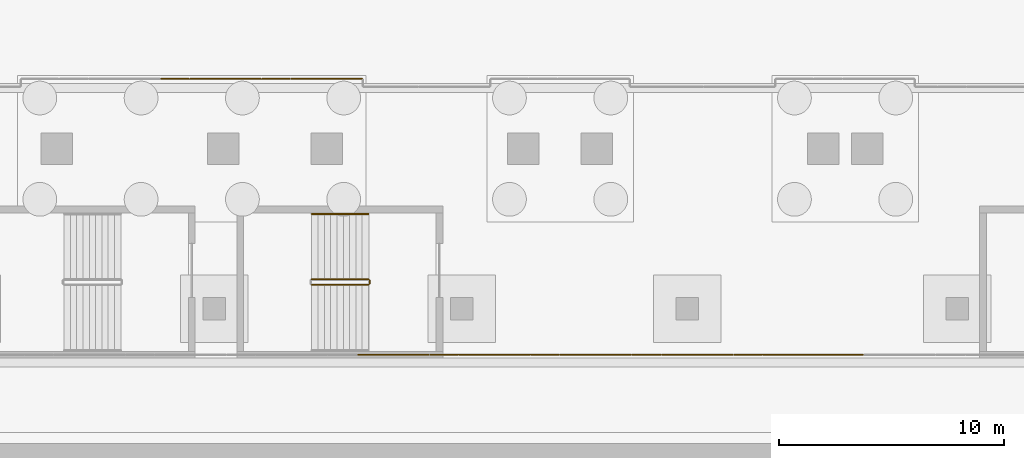
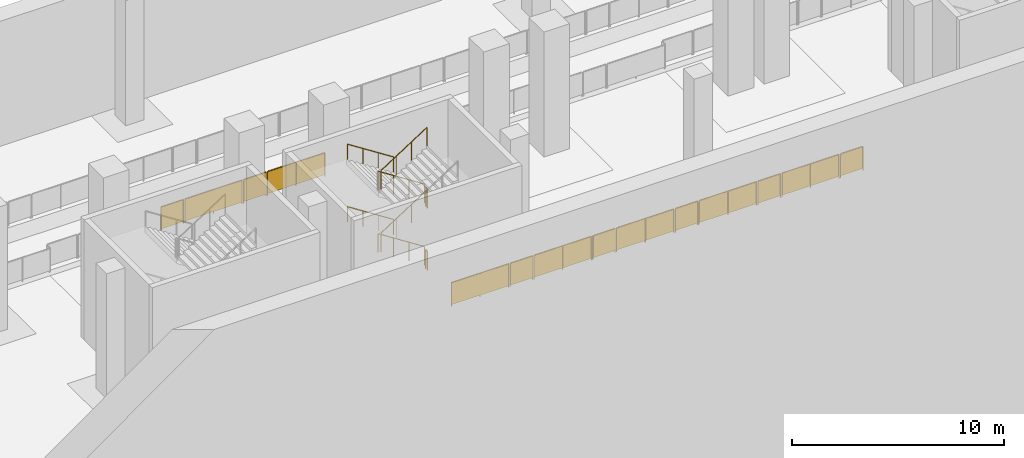
# One storey, part 10 of 15: 22 railings.
"""IFC4 building model written with IfcOpenShell, lengths in metres."""

from ifc_helpers import new_model, si_unit, direction, frame, origin, origin_2d, place, context, subcontext, project, spatial, rectangle, circle, extrude, material, type_object, element, save


model = new_model("IFC4")

# Units and contexts
model_context = context("Model", 3, precision=1e-05, world=origin(), true_north=direction((0.0, 1.0)))
body_context = subcontext(model_context, "Body", "Model", "MODEL_VIEW")
ifc_project = project(units=[si_unit("LENGTHUNIT", "METRE"), si_unit("AREAUNIT", "SQUARE_METRE"), si_unit("VOLUMEUNIT", "CUBIC_METRE"), si_unit("PLANEANGLEUNIT", "RADIAN"), si_unit("MASSUNIT", "GRAM", prefix="KILO")], contexts=[model_context])

# Site, building, storey
site_placement = place(None, origin())
site = spatial("IfcSite", under=ifc_project, at=site_placement, CompositionType="ELEMENT")
building_placement = place(site_placement, origin())
building = spatial("IfcBuilding", under=site, at=building_placement, Name="Wharfspan Tower", CompositionType="ELEMENT")
storey_placement = place(building_placement, frame((0.0, 0.0, -14.399902)))
storey = spatial("IfcBuildingStorey", under=building, at=storey_placement, Name="B2", CompositionType="ELEMENT", Elevation=-14.399902)

# Railings
ifc_material_1 = material(Name="Aluminium frame with laminated glass", Category="aluminium")
railing_type_1 = type_object("IfcRailingType", Name="Platform edge screen 1400", PredefinedType="GUARDRAIL", material=ifc_material_1)
for number, where, name in (
    (1, (25.389893, -31.050049, 0.0), "Platform edge screen"),
    (2, (29.889893, -31.050049, 0.0), "Platform edge screen"),
    (3, (34.389893, -31.050049, 0.0), "Platform edge screen"),
    (4, (38.889893, -31.050049, 0.0), "Platform edge screen"),
    (5, (43.389893, -31.050049, 0.0), "Platform edge screen"),
):
    element("IfcRailing", number, at=place(storey_placement, frame(where)), inside=storey, type_object=railing_type_1, Name=name, PredefinedType="GUARDRAIL", context=body_context, shape_type="SweptSolid", body=[
        extrude(circle(Radius=0.024902, at=origin_2d()), frame((0.0, 0.0, 1.375), z_axis=(1.0, 0.0, 0.0), x_axis=(0.0, 1.0, 0.0)), (0.0, 0.0, 1.0), 3.120117),
        extrude(circle(Radius=0.024902, at=origin_2d()), origin(), (0.0, 0.0, 1.0), 1.349854),
        extrude(circle(Radius=0.024902, at=origin_2d()), frame((1.560059, 0.0, 0.0)), (0.0, 0.0, 1.0), 1.349854),
        extrude(circle(Radius=0.024902, at=origin_2d()), frame((3.120117, 0.0, 0.0)), (0.0, 0.0, 1.0), 1.349854),
        extrude(rectangle(XDim=3.120117, YDim=0.02002, at=origin_2d()), frame((1.560059, 0.0, 0.100098), z_axis=(0.0, 0.0, 1.0), x_axis=(1.0, 0.0, 0.0)), (0.0, 0.0, 1.0), 1.249756),
    ])
for number, where, name in (
    (6, (25.560059, -18.800049, 0.0), "Platform edge screen"),
    (7, (21.060059, -18.800049, 0.0), "Platform edge screen"),
):
    element("IfcRailing", number, at=place(storey_placement, frame(where)), inside=storey, type_object=railing_type_1, Name=name, PredefinedType="GUARDRAIL", context=body_context, shape_type="SweptSolid", body=[
        extrude(circle(Radius=0.024902, at=origin_2d()), frame((0.0, 0.0, 1.375), z_axis=(-1.0, 0.0, 0.0), x_axis=(0.0, -1.0, 0.0)), (0.0, 0.0, 1.0), 3.120117),
        extrude(circle(Radius=0.024902, at=origin_2d()), origin(), (0.0, 0.0, 1.0), 1.349854),
        extrude(circle(Radius=0.024902, at=origin_2d()), frame((-1.560059, 0.0, 0.0)), (0.0, 0.0, 1.0), 1.349854),
        extrude(circle(Radius=0.024902, at=origin_2d()), frame((-3.120117, 0.0, 0.0)), (0.0, 0.0, 1.0), 1.349854),
        extrude(rectangle(XDim=3.120117, YDim=0.02002, at=origin_2d()), frame((-1.560059, 0.0, 0.100098), z_axis=(0.0, 0.0, 1.0), x_axis=(-1.0, 0.0, 0.0)), (0.0, 0.0, 1.0), 1.249756),
    ])
railing_type_2 = type_object("IfcRailingType", Name="Platform screen door leaf 1400 (closed)", PredefinedType="GUARDRAIL", material=ifc_material_1)
for number, where, name in (
    (8, (28.590088, -31.050049, 0.0), "Platform screen door leaf (closed)"),
    (9, (33.090088, -31.050049, 0.0), "Platform screen door leaf (closed)"),
    (10, (37.590088, -31.050049, 0.0), "Platform screen door leaf (closed)"),
    (11, (42.090088, -31.050049, 0.0), "Platform screen door leaf (closed)"),
    (12, (46.590088, -31.050049, 0.0), "Platform screen door leaf (closed)"),
):
    element("IfcRailing", number, at=place(storey_placement, frame(where)), inside=storey, type_object=railing_type_2, Name=name, PredefinedType="GUARDRAIL", context=body_context, shape_type="SweptSolid", body=[
        extrude(circle(Radius=0.024902, at=origin_2d()), frame((0.0, 0.0, 1.375), z_axis=(1.0, 0.0, 0.0), x_axis=(0.0, 1.0, 0.0)), (0.0, 0.0, 1.0), 1.219971),
        extrude(circle(Radius=0.024902, at=origin_2d()), origin(), (0.0, 0.0, 1.0), 1.349854),
        extrude(circle(Radius=0.024902, at=origin_2d()), frame((1.219971, 0.0, 0.0)), (0.0, 0.0, 1.0), 1.349854),
        extrude(rectangle(XDim=1.219971, YDim=0.02002, at=origin_2d()), frame((0.609863, 0.0, 0.100098), z_axis=(0.0, 0.0, 1.0), x_axis=(1.0, 0.0, 0.0)), (0.0, 0.0, 1.0), 1.249756),
    ])
for number, where, name in (
    (13, (22.360107, -18.800049, 0.0), "Platform screen door leaf (closed)"),
    (14, (17.860107, -18.800049, 0.0), "Platform screen door leaf (closed)"),
):
    element("IfcRailing", number, at=place(storey_placement, frame(where)), inside=storey, type_object=railing_type_2, Name=name, PredefinedType="GUARDRAIL", context=body_context, shape_type="SweptSolid", body=[
        extrude(circle(Radius=0.024902, at=origin_2d()), frame((0.0, 0.0, 1.375), z_axis=(-1.0, 0.0, 0.0), x_axis=(0.0, -1.0, 0.0)), (0.0, 0.0, 1.0), 1.220215),
        extrude(circle(Radius=0.024902, at=origin_2d()), origin(), (0.0, 0.0, 1.0), 1.349854),
        extrude(circle(Radius=0.024902, at=origin_2d()), frame((-1.220215, 0.0, 0.0)), (0.0, 0.0, 1.0), 1.349854),
        extrude(rectangle(XDim=1.220215, YDim=0.02002, at=origin_2d()), frame((-0.610107, 0.0, 0.100098), z_axis=(0.0, 0.0, 1.0), x_axis=(-1.0, 0.0, 0.0)), (0.0, 0.0, 1.0), 1.249756),
    ])
ifc_material_2 = material(Name="Steel S355J2", Category="steel")
railing_type_3 = type_object("IfcRailingType", Name="Podium guard 1100", PredefinedType="GUARDRAIL", material=ifc_material_2)
railing_1_placement = place(storey_placement, frame((25.850098, -27.699951, 0.179932)))
element("IfcRailing", 15, at=railing_1_placement, inside=storey, type_object=railing_type_3, Name="B2 SB2 stair guard 1", PredefinedType="GUARDRAIL", context=body_context, shape_type="SweptSolid", body=[
    extrude(circle(Radius=0.023926, at=origin_2d()), frame((0.0, 0.0, 1.076172), z_axis=(-0.8412, 0.0, 0.540725), x_axis=(0.0, -1.0, 0.0)), (0.0, 0.0, 1.0), 2.99585),
    extrude(circle(Radius=0.020996, at=origin_2d()), origin(), (0.0, 0.0, 1.0), 1.052002),
    extrude(circle(Radius=0.020996, at=origin_2d()), frame((-0.840088, 0.0, 0.540039)), (0.0, 0.0, 1.0), 1.052002),
    extrude(circle(Radius=0.020996, at=origin_2d()), frame((-1.679932, 0.0, 1.079834)), (0.0, 0.0, 1.0), 1.052002),
    extrude(circle(Radius=0.020996, at=origin_2d()), frame((-2.52002, 0.0, 1.619873)), (0.0, 0.0, 1.0), 1.052002),
])
railing_2_placement = place(storey_placement, frame((23.330078, -27.949951, 1.97998)))
element("IfcRailing", 16, at=railing_2_placement, inside=storey, type_object=railing_type_3, Name="B2 SB2 stair guard 3", PredefinedType="GUARDRAIL", context=body_context, shape_type="SweptSolid", body=[
    extrude(circle(Radius=0.023926, at=origin_2d()), frame((0.0, 0.0, 1.076172), z_axis=(0.8412, 0.0, 0.540725), x_axis=(0.0, 1.0, 0.0)), (0.0, 0.0, 1.0), 2.99585),
    extrude(circle(Radius=0.020996, at=origin_2d()), origin(), (0.0, 0.0, 1.0), 1.052002),
    extrude(circle(Radius=0.020996, at=origin_2d()), frame((0.840088, 0.0, 0.540039)), (0.0, 0.0, 1.0), 1.052002),
    extrude(circle(Radius=0.020996, at=origin_2d()), frame((1.679932, 0.0, 1.079834)), (0.0, 0.0, 1.0), 1.052002),
    extrude(circle(Radius=0.020996, at=origin_2d()), frame((2.52002, 0.0, 1.619873)), (0.0, 0.0, 1.0), 1.052002),
])
railing_3_placement = place(storey_placement, frame((25.899902, -27.75, 3.599854)))
element("IfcRailing", 17, at=railing_3_placement, inside=storey, type_object=railing_type_3, Name="B2 SB2 stair guard 4", PredefinedType="GUARDRAIL", context=body_context, shape_type="SweptSolid", body=[
    extrude(circle(Radius=0.023926, at=origin_2d()), frame((0.0, 0.0, 1.076172), z_axis=(0.0, -1.0, 0.0), x_axis=(1.0, 0.0, 0.0)), (0.0, 0.0, 1.0), 0.149902),
    extrude(circle(Radius=0.020996, at=origin_2d()), origin(), (0.0, 0.0, 1.0), 1.052002),
    extrude(circle(Radius=0.020996, at=origin_2d()), frame((0.0, -0.149902, 0.0)), (0.0, 0.0, 1.0), 1.052002),
])
railing_4_placement = place(storey_placement, frame((25.850098, -27.699951, 3.779785)))
element("IfcRailing", 18, at=railing_4_placement, inside=storey, type_object=railing_type_3, Name="B2 SB2 stair guard 5", PredefinedType="GUARDRAIL", context=body_context, shape_type="SweptSolid", body=[
    extrude(circle(Radius=0.023926, at=origin_2d()), frame((0.0, 0.0, 1.076172), z_axis=(-0.841163, 0.0, 0.540782), x_axis=(0.0, -1.0, 0.0)), (0.0, 0.0, 1.0), 2.99585),
    extrude(circle(Radius=0.020996, at=origin_2d()), origin(), (0.0, 0.0, 1.0), 1.052002),
    extrude(circle(Radius=0.020996, at=origin_2d()), frame((-0.840088, 0.0, 0.540039)), (0.0, 0.0, 1.0), 1.052002),
    extrude(circle(Radius=0.020996, at=origin_2d()), frame((-1.679932, 0.0, 1.080078)), (0.0, 0.0, 1.0), 1.052002),
    extrude(circle(Radius=0.020996, at=origin_2d()), frame((-2.52002, 0.0, 1.620117)), (0.0, 0.0, 1.0), 1.052002),
])
railing_5_placement = place(storey_placement, frame((23.330078, -27.949951, 5.579834)))
element("IfcRailing", 19, at=railing_5_placement, inside=storey, type_object=railing_type_3, Name="B2 SB2 stair guard 7", PredefinedType="GUARDRAIL", context=body_context, shape_type="SweptSolid", body=[
    extrude(circle(Radius=0.023926, at=origin_2d()), frame((0.0, 0.0, 1.076172), z_axis=(0.841163, 0.0, 0.540782), x_axis=(0.0, 1.0, 0.0)), (0.0, 0.0, 1.0), 2.99585),
    extrude(circle(Radius=0.020996, at=origin_2d()), origin(), (0.0, 0.0, 1.0), 1.052002),
    extrude(circle(Radius=0.020996, at=origin_2d()), frame((0.840088, 0.0, 0.540039)), (0.0, 0.0, 1.0), 1.052002),
    extrude(circle(Radius=0.020996, at=origin_2d()), frame((1.679932, 0.0, 1.080078)), (0.0, 0.0, 1.0), 1.052002),
    extrude(circle(Radius=0.020996, at=origin_2d()), frame((2.52002, 0.0, 1.620117)), (0.0, 0.0, 1.0), 1.052002),
])
railing_6_placement = place(storey_placement, frame((25.899902, -27.75, 0.0)))
element("IfcRailing", 20, at=railing_6_placement, inside=storey, type_object=railing_type_3, Name="B2 SB2 stair guard 8", PredefinedType="GUARDRAIL", context=body_context, shape_type="SweptSolid", body=[
    extrude(circle(Radius=0.023926, at=origin_2d()), frame((0.0, 0.0, 1.076172), z_axis=(0.0, -1.0, 0.0), x_axis=(1.0, 0.0, 0.0)), (0.0, 0.0, 1.0), 0.149902),
    extrude(circle(Radius=0.020996, at=origin_2d()), origin(), (0.0, 0.0, 1.0), 1.052002),
    extrude(circle(Radius=0.020996, at=origin_2d()), frame((0.0, -0.149902, 0.0)), (0.0, 0.0, 1.0), 1.052002),
])
railing_type_4 = type_object("IfcRailingType", Name="Podium stair handrail 900", PredefinedType="HANDRAIL", material=ifc_material_2)
railing_7_placement = place(storey_placement, frame((25.850098, -24.800049, 0.179932)))
element("IfcRailing", 21, at=railing_7_placement, inside=storey, type_object=railing_type_4, Name="B2 SB2 stair handrail 1", PredefinedType="HANDRAIL", context=body_context, shape_type="SweptSolid", body=[
    extrude(circle(Radius=0.023926, at=origin_2d()), frame((0.0, 0.0, 0.875977), z_axis=(-0.8412, 0.0, 0.540725), x_axis=(0.0, -1.0, 0.0)), (0.0, 0.0, 1.0), 2.99585),
    extrude(circle(Radius=0.020996, at=origin_2d()), origin(), (0.0, 0.0, 1.0), 0.851807),
    extrude(circle(Radius=0.020996, at=origin_2d()), frame((-0.840088, 0.0, 0.540039)), (0.0, 0.0, 1.0), 0.851807),
    extrude(circle(Radius=0.020996, at=origin_2d()), frame((-1.679932, 0.0, 1.079834)), (0.0, 0.0, 1.0), 0.851807),
    extrude(circle(Radius=0.020996, at=origin_2d()), frame((-2.52002, 0.0, 1.619873)), (0.0, 0.0, 1.0), 0.851807),
])
railing_8_placement = place(storey_placement, frame((25.850098, -24.800049, 3.779785)))
element("IfcRailing", 22, at=railing_8_placement, inside=storey, type_object=railing_type_4, Name="B2 SB2 stair handrail 3", PredefinedType="HANDRAIL", context=body_context, shape_type="SweptSolid", body=[
    extrude(circle(Radius=0.023926, at=origin_2d()), frame((0.0, 0.0, 0.875977), z_axis=(-0.841163, 0.0, 0.540782), x_axis=(0.0, -1.0, 0.0)), (0.0, 0.0, 1.0), 2.99585),
    extrude(circle(Radius=0.020996, at=origin_2d()), origin(), (0.0, 0.0, 1.0), 0.851807),
    extrude(circle(Radius=0.020996, at=origin_2d()), frame((-0.840088, 0.0, 0.540039)), (0.0, 0.0, 1.0), 0.851807),
    extrude(circle(Radius=0.020996, at=origin_2d()), frame((-1.679932, 0.0, 1.080078)), (0.0, 0.0, 1.0), 0.851807),
    extrude(circle(Radius=0.020996, at=origin_2d()), frame((-2.52002, 0.0, 1.620117)), (0.0, 0.0, 1.0), 0.851807),
])

save(model, "model.ifc")
